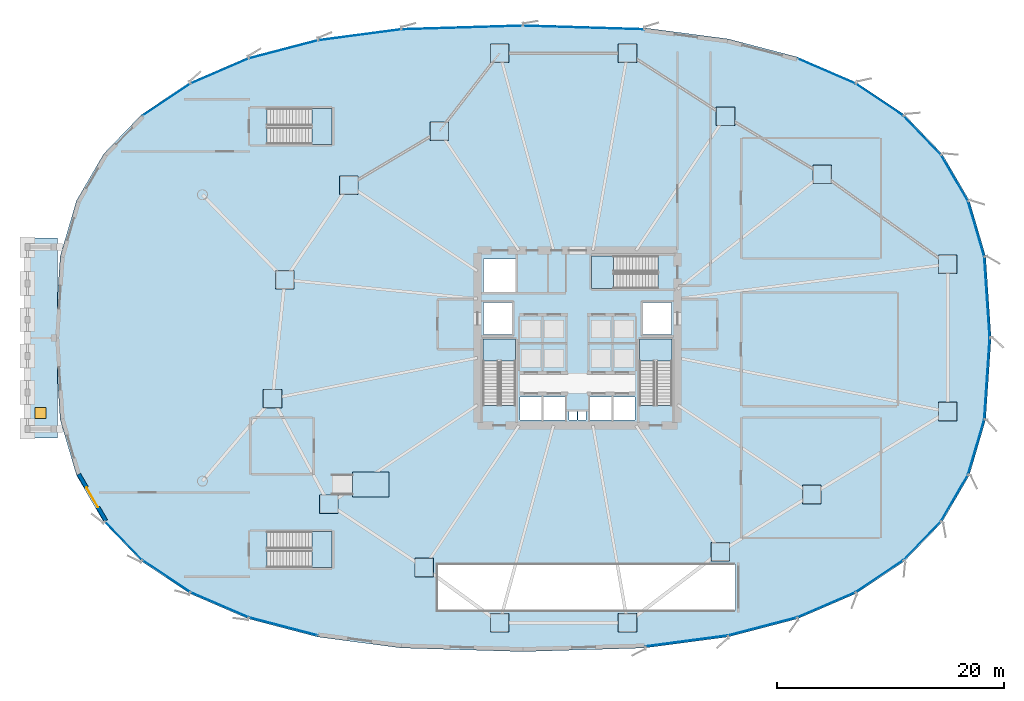
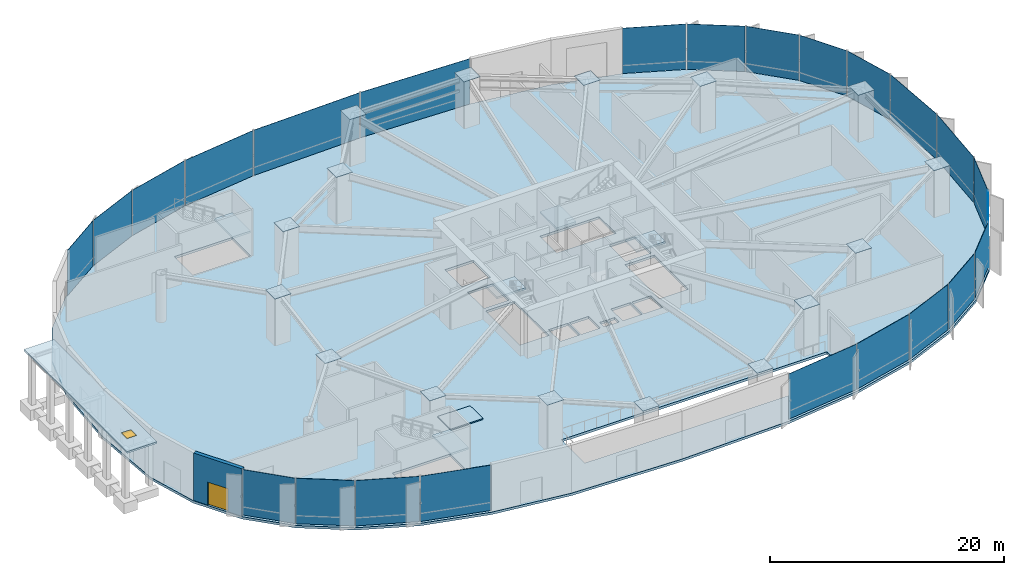
# One storey, part 22 of 35: 40 plates, 8 slabs, 2 doors, 1 wall, 2 openings, 10 elements without a shape of their own.
"""IFC4 building model written with IfcOpenShell, lengths in metres."""

from ifc_helpers import new_model, si_unit, direction, frame, frame_2d, origin, origin_2d, place, context, subcontext, project, spatial, polyline, rectangle, outline, extrude, source, transform, mapped, material, layer, layer_set, type_object, element, fill, aggregate, save


model = new_model("IFC4")

# Units and contexts
model_context = context("Model", 3, precision=1e-05, world=origin(), true_north=direction((0.0, 1.0)))
body_context = subcontext(model_context, "Body", "Model", "MODEL_VIEW")
ifc_project = project(units=[si_unit("LENGTHUNIT", "METRE"), si_unit("AREAUNIT", "SQUARE_METRE"), si_unit("VOLUMEUNIT", "CUBIC_METRE"), si_unit("PLANEANGLEUNIT", "RADIAN"), si_unit("MASSUNIT", "GRAM", prefix="KILO"), si_unit("THERMODYNAMICTEMPERATUREUNIT", "KELVIN")], contexts=[model_context])

# Site, building, storey
site_placement = place(None, origin())
site = spatial("IfcSite", under=ifc_project, at=site_placement, CompositionType="ELEMENT")
building_placement = place(site_placement, origin())
building = spatial("IfcBuilding", under=site, at=building_placement, Name="Kethvar Cultural Tower", CompositionType="ELEMENT")
storey_placement = place(building_placement, origin())
storey = spatial("IfcBuildingStorey", under=building, at=storey_placement, Name="L00", CompositionType="ELEMENT", Elevation=0.0)

# Slabs
ifc_material_1 = material(Name="Concrete C40/50", Category="concrete")
ifc_layer_1 = layer(ifc_material_1, 0.1201171875, Name="Concrete C40/50", Category="concrete")
ifc_layer_set_1 = layer_set([ifc_layer_1], Name="Concrete C40/50 (120 mm)")
slab_type_1 = type_object("IfcSlabType", Name="SL-DAIS-120", PredefinedType="LANDING", material=ifc_layer_set_1)
slab_1_placement = place(storey_placement, origin())
element("IfcSlab", 1, at=slab_1_placement, inside=storey, type_object=slab_type_1, Name="L00 Exhibition Plinth Landing", PredefinedType="LANDING", context=body_context, shape_type="SweptSolid", body=[
    extrude(outline(polyline([(27.0, 13.800048828125), (30.199951171875, 13.800048828125), (30.199951171875, 16.0), (27.0, 16.0), (27.0, 13.800048828125)])), origin(), (0.0, 0.0, 1.0), 0.1201171875),
])
ifc_layer_2 = layer(ifc_material_1, 0.25, Name="Concrete C40/50", Category="concrete")
ifc_layer_set_2 = layer_set([ifc_layer_2], Name="Concrete C40/50 (250 mm)")
slab_type_2 = type_object("IfcSlabType", Name="SL-POD-250", PredefinedType="FLOOR", material=ifc_layer_set_2)
slab_2_placement = place(storey_placement, frame((0.0, 0.0, -0.25)))
element("IfcSlab", 2, at=slab_2_placement, inside=storey, type_object=slab_type_2, Name="L00 Structural Floor Slab", PredefinedType="FLOOR", context=body_context, shape_type="SweptSolid", body=[
    extrude(outline(polyline([(83.199951171875, 27.800048828125), (82.7177734375, 34.978515625), (81.275146484375, 39.8916015625), (78.884521484375, 43.993896484375), (75.56298828125, 47.44580078125), (71.326416015625, 50.283935546875), (66.17333984375, 52.509033203125), (60.0498046875, 54.110595703125), (52.7158203125, 55.076904296875), (42.0, 55.39990234375), (31.2841796875, 55.076904296875), (23.9501953125, 54.110595703125), (17.82666015625, 52.509033203125), (12.673583984375, 50.283935546875), (8.43701171875, 47.44580078125), (5.115478515625, 43.993896484375), (2.724853515625, 39.8916015625), (1.2822265625, 34.978515625), (0.800048828125, 27.800048828125), (1.2822265625, 20.621337890625), (2.724853515625, 15.708251953125), (5.115478515625, 11.606201171875), (8.43701171875, 8.154296875), (12.673583984375, 5.31591796875), (17.82666015625, 3.091064453125), (23.9501953125, 1.489501953125), (31.2841796875, 0.523193359375), (42.0, 0.199951171875), (52.7158203125, 0.523193359375), (60.0498046875, 1.489501953125), (66.17333984375, 3.091064453125), (71.326416015625, 5.31591796875), (75.56298828125, 8.154296875), (78.884521484375, 11.606201171875), (81.275146484375, 15.708251953125), (82.7177734375, 20.621337890625), (83.199951171875, 27.800048828125)]), holes=[polyline([(38.489990234375, 21.85009765625), (38.489990234375, 27.699951171875), (41.35009765625, 27.699951171875), (41.35009765625, 21.85009765625), (38.489990234375, 21.85009765625)]), polyline([(52.25, 21.85009765625), (52.25, 27.699951171875), (55.110107421875, 27.699951171875), (55.110107421875, 21.85009765625), (52.25, 21.85009765625)]), polyline([(53.89990234375, 32.14990234375), (48.050048828125, 32.14990234375), (48.050048828125, 35.010009765625), (53.89990234375, 35.010009765625), (53.89990234375, 32.14990234375)]), polyline([(19.5, 10.760009765625), (25.199951171875, 10.760009765625), (25.199951171875, 7.60009765625), (19.5, 7.60009765625), (19.5, 10.760009765625)]), polyline([(19.5, 48.0), (25.199951171875, 48.0), (25.199951171875, 44.840087890625), (19.5, 44.840087890625), (19.5, 48.0)]), polyline([(41.75, 22.60009765625), (43.64990234375, 22.60009765625), (43.64990234375, 20.60009765625), (41.75, 20.60009765625), (41.75, 22.60009765625)]), polyline([(43.800048828125, 22.60009765625), (45.699951171875, 22.60009765625), (45.699951171875, 20.60009765625), (43.800048828125, 20.60009765625), (43.800048828125, 22.60009765625)]), polyline([(47.89990234375, 22.60009765625), (49.800048828125, 22.60009765625), (49.800048828125, 20.60009765625), (47.89990234375, 20.60009765625), (47.89990234375, 22.60009765625)]), polyline([(49.949951171875, 22.60009765625), (51.85009765625, 22.60009765625), (51.85009765625, 20.60009765625), (49.949951171875, 20.60009765625), (49.949951171875, 22.60009765625)]), polyline([(38.550048828125, 30.89990234375), (41.050048828125, 30.89990234375), (41.050048828125, 28.10009765625), (38.550048828125, 28.10009765625), (38.550048828125, 30.89990234375)]), polyline([(52.550048828125, 30.89990234375), (55.050048828125, 30.89990234375), (55.050048828125, 28.10009765625), (52.550048828125, 28.10009765625), (52.550048828125, 30.89990234375)]), polyline([(38.550048828125, 34.75), (41.35009765625, 34.75), (41.35009765625, 31.85009765625), (38.550048828125, 31.85009765625), (38.550048828125, 34.75)]), polyline([(46.050048828125, 21.35009765625), (46.75, 21.35009765625), (46.75, 20.60009765625), (46.050048828125, 20.60009765625), (46.050048828125, 21.35009765625)]), polyline([(46.85009765625, 21.35009765625), (47.550048828125, 21.35009765625), (47.550048828125, 20.60009765625), (46.85009765625, 20.60009765625), (46.85009765625, 21.35009765625)]), polyline([(34.5, 7.85009765625), (60.699951171875, 7.85009765625), (60.699951171875, 3.85009765625), (34.5, 3.85009765625), (34.5, 7.85009765625)])]), origin(), (0.0, 0.0, 1.0), 0.25),
])

# Slab, opening, door
ifc_layer_3 = layer(ifc_material_1, 0.18994140625, Name="Concrete C40/50", Category="concrete")
ifc_layer_set_3 = layer_set([ifc_layer_3], Name="Concrete C40/50 (190 mm)")
slab_type_3 = type_object("IfcSlabType", Name="SL-ROOF-CAN", PredefinedType="ROOF", material=ifc_layer_set_3)
slab_3_placement = place(storey_placement, frame((0.0, 0.0, 4.550048828125)))
slab_3 = element("IfcSlab", 3, at=slab_3_placement, inside=storey, type_object=slab_type_3, Name="West Entrance Portico Canopy Roof", PredefinedType="ROOF", context=body_context, shape_type="SweptSolid", body=[
    extrude(outline(polyline([(-1.89990234375, 19.0), (1.050048828125, 19.0), (1.050048828125, 36.60009765625), (-1.89990234375, 36.60009765625), (-1.89990234375, 19.0)])), origin(), (0.0, 0.0, 1.0), 0.18994140625),
])
opening_1_placement = place(slab_3_placement, frame((-0.449951171875, 21.199951171875, -0.010009765625)))
opening_1 = element("IfcOpeningElement", 4, at=opening_1_placement, cuts=slab_3, Name="Opening RH-01", PredefinedType="OPENING", context=body_context, shape_type="SweptSolid", body=[
    extrude(rectangle(XDim=0.949951171875, YDim=0.949951171875, at=origin_2d()), origin(), (0.0, 0.0, 1.0), 0.2099609375),
])
ifc_material_2 = material(Name="Steel S355J2", Category="steel")
door_type_1 = type_object("IfcDoorType", Name="DR-TRAP-ROOF", OperationType="SINGLE_SWING_LEFT", PredefinedType="TRAPDOOR", material=ifc_material_2)
door_1_placement = place(slab_3_placement, frame((-0.449951171875, 21.199951171875, 0.1298828125)))
door_1 = element("IfcDoor", 5, at=door_1_placement, inside=storey, type_object=door_type_1, Name="West Canopy Maintenance Roof Hatch RH-01", OperationType="SINGLE_SWING_LEFT", OverallHeight=0.949951171875, OverallWidth=0.949951171875, PredefinedType="TRAPDOOR", context=body_context, shape_type="SweptSolid", body=[
    extrude(rectangle(XDim=0.949951171875, YDim=0.949951171875, at=origin_2d()), origin(), (0.0, 0.0, 1.0), 0.06005859375),
])
fill(opening_1, door_1)

# Stair, slab
stair_type_1 = type_object("IfcStairType", Name="ST-DOGLEG-135", PredefinedType="HALF_TURN_STAIR", material=ifc_material_1)
stair_1_placement = place(storey_placement, origin())
stair_1 = element("IfcStair", 6, at=stair_1_placement, inside=storey, type_object=stair_type_1, Name="L00 Core Exit Stair 1", PredefinedType="HALF_TURN_STAIR")
ifc_layer_4 = layer(ifc_material_1, 0.199951171875, Name="Concrete C40/50", Category="concrete")
ifc_layer_set_4 = layer_set([ifc_layer_4], Name="Concrete C40/50 (200 mm)")
slab_type_4 = type_object("IfcSlabType", Name="SL-STAIR-LANDING-200", PredefinedType="LANDING", material=ifc_layer_set_4)
slab_4_placement = place(storey_placement, frame((0.0, 0.0, 2.39990234375)))
slab_4 = element("IfcSlab", 7, at=slab_4_placement, type_object=slab_type_4, Name="ST-01 landing 1", PredefinedType="LANDING", context=body_context, shape_type="SweptSolid", body=[
    extrude(outline(polyline([(41.35009765625, 25.77001953125), (41.35009765625, 27.699951171875), (38.489990234375, 27.699951171875), (38.489990234375, 25.77001953125), (41.35009765625, 25.77001953125)])), origin(), (0.0, 0.0, 1.0), 0.2001953125),
])
aggregate(stair_1, [slab_4])

stair_2_placement = place(storey_placement, origin())
stair_2 = element("IfcStair", 8, at=stair_2_placement, inside=storey, type_object=stair_type_1, Name="L00 Core Exit Stair 2", PredefinedType="HALF_TURN_STAIR")
slab_5_placement = place(storey_placement, frame((0.0, 0.0, 2.39990234375)))
slab_5 = element("IfcSlab", 9, at=slab_5_placement, type_object=slab_type_4, Name="ST-02 landing 1", PredefinedType="LANDING", context=body_context, shape_type="SweptSolid", body=[
    extrude(outline(polyline([(55.110107421875, 25.77001953125), (55.110107421875, 27.699951171875), (52.25, 27.699951171875), (52.25, 25.77001953125), (55.110107421875, 25.77001953125)])), origin(), (0.0, 0.0, 1.0), 0.2001953125),
])
aggregate(stair_2, [slab_5])

stair_3_placement = place(storey_placement, origin())
stair_3 = element("IfcStair", 10, at=stair_3_placement, inside=storey, type_object=stair_type_1, Name="L00 Core Exit Stair 3", PredefinedType="HALF_TURN_STAIR")
slab_6_placement = place(storey_placement, frame((0.0, 0.0, 2.39990234375)))
slab_6 = element("IfcSlab", 11, at=slab_6_placement, type_object=slab_type_4, Name="ST-03 landing 1", PredefinedType="LANDING", context=body_context, shape_type="SweptSolid", body=[
    extrude(outline(polyline([(49.97998046875, 35.010009765625), (48.050048828125, 35.010009765625), (48.050048828125, 32.14990234375), (49.97998046875, 32.14990234375), (49.97998046875, 35.010009765625)])), origin(), (0.0, 0.0, 1.0), 0.2001953125),
])
aggregate(stair_3, [slab_6])

stair_type_2 = type_object("IfcStairType", Name="ST-DOGLEG-150", PredefinedType="HALF_TURN_STAIR", material=ifc_material_1)
stair_4_placement = place(storey_placement, origin())
stair_4 = element("IfcStair", 12, at=stair_4_placement, inside=storey, type_object=stair_type_2, Name="L00 Podium Auditorium Exit Stair 4", PredefinedType="HALF_TURN_STAIR")
slab_7_placement = place(storey_placement, frame((0.0, 0.0, 2.39990234375)))
slab_7 = element("IfcSlab", 13, at=slab_7_placement, type_object=slab_type_4, Name="ST-04 landing 1", PredefinedType="LANDING", context=body_context, shape_type="SweptSolid", body=[
    extrude(outline(polyline([(23.419921875, 7.60009765625), (25.199951171875, 7.60009765625), (25.199951171875, 10.760009765625), (23.419921875, 10.760009765625), (23.419921875, 7.60009765625)])), origin(), (0.0, 0.0, 1.0), 0.2001953125),
])
aggregate(stair_4, [slab_7])

stair_5_placement = place(storey_placement, origin())
stair_5 = element("IfcStair", 14, at=stair_5_placement, inside=storey, type_object=stair_type_2, Name="L00 Podium Auditorium Exit Stair 5", PredefinedType="HALF_TURN_STAIR")
slab_8_placement = place(storey_placement, frame((0.0, 0.0, 2.39990234375)))
slab_8 = element("IfcSlab", 15, at=slab_8_placement, type_object=slab_type_4, Name="ST-05 landing 1", PredefinedType="LANDING", context=body_context, shape_type="SweptSolid", body=[
    extrude(outline(polyline([(23.419921875, 44.840087890625), (25.199951171875, 44.840087890625), (25.199951171875, 48.0), (23.419921875, 48.0), (23.419921875, 44.840087890625)])), origin(), (0.0, 0.0, 1.0), 0.2001953125),
])
aggregate(stair_5, [slab_8])

# Plates
ifc_material_3 = material(Name="Steel S460M", Category="steel")
ifc_layer_5 = layer(ifc_material_3, 0.0400390625, Name="Steel S460M", Category="steel")
ifc_layer_set_5 = layer_set([ifc_layer_5], Name="Steel S460M (40 mm)")
plate_type_1 = type_object("IfcPlateType", Name="PL-ENDCAP-BOX", PredefinedType="SHEET", material=ifc_layer_set_5)
shared_shape_1 = source(origin(), body_context, "Body", "SweptSolid", [
    extrude(rectangle(XDim=1.639892578125, YDim=1.639892578125, at=origin_2d()), origin(), (0.0, 0.0, 1.0), 0.0400390625),
])
for number, where, z_axis, x_axis, name in (
    (16, (79.362060546875, 34.277099609375, 4.909912109375), (0.0, 0.0, 1.0), (1.0, 0.0, 0.0), "L00 Box Column Diaphragm Cap CP-01"),
    (17, (68.33642578125, 42.190185546875, 4.909912109375), (0.0, 0.0, 1.0), (1.0, 0.0, 0.0), "L00 Box Column Diaphragm Cap CP-02"),
    (18, (59.824951171875, 47.293212890625, 4.909912109375), (0.0, 0.0, 1.0), (1.0, 0.0, 0.0), "L00 Box Column Diaphragm Cap CP-03"),
    (19, (51.199951171875, 52.85009765625, 4.909912109375), (0.0, 0.0, 1.0), (1.0, 0.0, 0.0), "L00 Box Column Diaphragm Cap CP-04"),
    (20, (39.949951171875, 52.85009765625, 4.909912109375), (0.0, 0.0, 1.0), (1.0, 0.0, 0.0), "L00 Box Column Diaphragm Cap CP-05"),
    (21, (34.64599609375, 45.98974609375, 4.909912109375), (0.0, 0.0, 1.0), (1.0, 0.0, 0.0), "L00 Box Column Diaphragm Cap CP-06"),
    (22, (26.6845703125, 41.24072265625, 4.909912109375), (0.0, 0.0, 1.0), (1.0, 0.0, 0.0), "L00 Box Column Diaphragm Cap CP-07"),
    (23, (21.047119140625, 32.922607421875, 4.909912109375), (0.0, 0.0, 1.0), (1.0, 0.0, 0.0), "L00 Box Column Diaphragm Cap CP-08"),
    (24, (19.9658203125, 22.46240234375, 4.909912109375), (0.0, 0.0, 1.0), (1.0, 0.0, 0.0), "L00 Box Column Diaphragm Cap CP-09"),
    (25, (24.9248046875, 13.183349609375, 4.909912109375), (0.0, 0.0, 1.0), (1.0, 0.0, 0.0), "L00 Box Column Diaphragm Cap CP-10"),
    (26, (33.302001953125, 7.598876953125, 4.909912109375), (0.0, 0.0, 1.0), (1.0, 0.0, 0.0), "L00 Box Column Diaphragm Cap CP-11"),
    (27, (39.949951171875, 2.75, 4.909912109375), (0.0, 0.0, 1.0), (1.0, 0.0, 0.0), "L00 Box Column Diaphragm Cap CP-12"),
    (28, (51.199951171875, 2.75, 4.909912109375), (0.0, 0.0, 1.0), (1.0, 0.0, 0.0), "L00 Box Column Diaphragm Cap CP-13"),
    (29, (59.370361328125, 8.987060546875, 4.909912109375), (0.0, 0.0, 1.0), (1.0, 0.0, 0.0), "L00 Box Column Diaphragm Cap CP-14"),
    (30, (67.41845703125, 14.023193359375, 4.909912109375), (0.0, 0.0, 1.0), (1.0, 0.0, 0.0), "L00 Box Column Diaphragm Cap CP-15"),
    (31, (79.362060546875, 21.322998046875, 4.909912109375), (0.0, 0.0, 1.0), (1.0, 0.0, 0.0), "L00 Box Column Diaphragm Cap CP-16"),
):
    element("IfcPlate", number, at=place(storey_placement, frame(where, z_axis=z_axis, x_axis=x_axis)), inside=storey, type_object=plate_type_1, Name=name, PredefinedType="SHEET", context=body_context, shape_type="MappedRepresentation", body=[
        mapped(shared_shape_1, transform((0.0, 0.0, 0.0), scale=1.0)),
    ])

# Curtain wall, plate
ifc_material_4 = material(Name="Aluminium 6063-T6", Category="aluminium")
ifc_layer_6 = layer(ifc_material_4, 0.179931640625, Name="Aluminium 6063-T6", Category="aluminium")
ifc_layer_set_6 = layer_set([ifc_layer_6], Name="Aluminium 6063-T6 (180 mm)")
curtain_wall_type = type_object("IfcCurtainWallType", Name="CW-SYS-01-POD", PredefinedType="NOTDEFINED", material=ifc_layer_set_6)
curtain_wall_1_placement = place(storey_placement, origin())
curtain_wall_1 = element("IfcCurtainWall", 32, at=curtain_wall_1_placement, inside=storey, type_object=curtain_wall_type, Name="L00 Curtain Wall Run 01", PredefinedType="NOTDEFINED")
ifc_material_5 = material(Name="Insulated Low-E Solar Glass", Category="glass")
ifc_layer_7 = layer(ifc_material_5, 0.035888671875, Name="Insulated Low-E Solar Glass", Category="glass")
ifc_layer_set_7 = layer_set([ifc_layer_7], Name="Insulated Low-E Solar Glass (36 mm)")
plate_type_2 = type_object("IfcPlateType", Name="CW-SYS-01-POD-PNL", PredefinedType="CURTAIN_PANEL", material=ifc_layer_set_7)
shared_shape_2 = source(origin(), body_context, "Body", "SweptSolid", [
    extrude(rectangle(XDim=7.086669921875, YDim=0.035888671875, at=origin_2d()), origin(), (0.0, 0.0, 1.0), 4.72998046875),
])
plate_1_placement = place(storey_placement, frame((82.8291015625, 31.380615234375, 0.110107421875), z_axis=(0.0, 0.0, 1.0), x_axis=(-0.067040137302, 0.997750279374, 0.0)))
plate_1 = element("IfcPlate", 33, at=plate_1_placement, type_object=plate_type_2, Name="CW-L00-R01 Vision Glazing Panel 1", PredefinedType="CURTAIN_PANEL", context=body_context, shape_type="MappedRepresentation", body=[
    mapped(shared_shape_2, transform((0.0, 0.0, 0.0), scale=1.0)),
])

curtain_wall_2_placement = place(storey_placement, origin())
curtain_wall_2 = element("IfcCurtainWall", 34, at=curtain_wall_2_placement, inside=storey, type_object=curtain_wall_type, Name="L00 Curtain Wall Run 05", PredefinedType="NOTDEFINED")
plate_2_placement = place(storey_placement, frame((82.8291015625, 24.219482421875, 0.110107421875), z_axis=(0.0, 0.0, 1.0), x_axis=(0.067040137302, 0.997750279374, 0.0)))
plate_2 = element("IfcPlate", 35, at=plate_2_placement, type_object=plate_type_2, Name="CW-L00-R05 Vision Glazing Panel 2", PredefinedType="CURTAIN_PANEL", context=body_context, shape_type="MappedRepresentation", body=[
    mapped(shared_shape_2, transform((0.0, 0.0, 0.0), scale=1.0)),
])

# Plate
shared_shape_3 = source(origin(), body_context, "Body", "SweptSolid", [
    extrude(rectangle(XDim=5.012451171875, YDim=0.035888671875, at=origin_2d()), origin(), (0.0, 0.0, 1.0), 4.72998046875),
])
plate_3_placement = place(storey_placement, frame((81.87158203125, 37.398681640625, 0.110107421875), z_axis=(0.0, 0.0, 1.0), x_axis=(-0.28172190008, 0.959496102658, 0.0)))
plate_3 = element("IfcPlate", 36, at=plate_3_placement, type_object=plate_type_2, Name="CW-L00-R01 Vision Glazing Panel 2", PredefinedType="CURTAIN_PANEL", context=body_context, shape_type="MappedRepresentation", body=[
    mapped(shared_shape_3, transform((0.0, 0.0, 0.0), scale=1.0)),
])

plate_4_placement = place(storey_placement, frame((81.87158203125, 18.201416015625, 0.110107421875), z_axis=(0.0, 0.0, 1.0), x_axis=(0.28172190008, 0.959496102658, 0.0)))
plate_4 = element("IfcPlate", 37, at=plate_4_placement, type_object=plate_type_2, Name="CW-L00-R05 Vision Glazing Panel 1", PredefinedType="CURTAIN_PANEL", context=body_context, shape_type="MappedRepresentation", body=[
    mapped(shared_shape_3, transform((0.0, 0.0, 0.0), scale=1.0)),
])

aggregate(curtain_wall_2, [plate_4, plate_2])

shared_shape_4 = source(origin(), body_context, "Body", "SweptSolid", [
    extrude(rectangle(XDim=4.639892578125, YDim=0.035888671875, at=origin_2d()), origin(), (0.0, 0.0, 1.0), 4.72998046875),
])
plate_5_placement = place(storey_placement, frame((79.967529296875, 41.877197265625, 0.110107421875), z_axis=(0.0, 0.0, 1.0), x_axis=(-0.503517649721, 0.863984939927, 0.0)))
plate_5 = element("IfcPlate", 38, at=plate_5_placement, type_object=plate_type_2, Name="CW-L00-R01 Vision Glazing Panel 3", PredefinedType="CURTAIN_PANEL", context=body_context, shape_type="MappedRepresentation", body=[
    mapped(shared_shape_4, transform((0.0, 0.0, 0.0), scale=1.0)),
])

# Curtain wall, plate
curtain_wall_3_placement = place(storey_placement, origin())
curtain_wall_3 = element("IfcCurtainWall", 39, at=curtain_wall_3_placement, inside=storey, type_object=curtain_wall_type, Name="L00 Curtain Wall Run 04", PredefinedType="NOTDEFINED")
plate_6_placement = place(storey_placement, frame((79.967529296875, 13.72265625, 0.110107421875), z_axis=(0.0, 0.0, 1.0), x_axis=(0.503517649721, 0.863984939927, 0.0)))
plate_6 = element("IfcPlate", 40, at=plate_6_placement, type_object=plate_type_2, Name="CW-L00-R04 Vision Glazing Panel 6", PredefinedType="CURTAIN_PANEL", context=body_context, shape_type="MappedRepresentation", body=[
    mapped(shared_shape_4, transform((0.0, 0.0, 0.0), scale=1.0)),
])

# Plate
shared_shape_5 = source(origin(), body_context, "Body", "SweptSolid", [
    extrude(rectangle(XDim=4.682373046875, YDim=0.035888671875, at=origin_2d()), origin(), (0.0, 0.0, 1.0), 4.72998046875),
])
plate_7_placement = place(storey_placement, frame((77.130126953125, 45.629638671875, 0.110107421875), z_axis=(0.0, 0.0, 1.0), x_axis=(-0.693338945689, 0.720611619661, 0.0)))
plate_7 = element("IfcPlate", 41, at=plate_7_placement, type_object=plate_type_2, Name="CW-L00-R01 Vision Glazing Panel 4", PredefinedType="CURTAIN_PANEL", context=body_context, shape_type="MappedRepresentation", body=[
    mapped(shared_shape_5, transform((0.0, 0.0, 0.0), scale=1.0)),
])

# Curtain wall, plate
curtain_wall_4_placement = place(storey_placement, origin())
curtain_wall_4 = element("IfcCurtainWall", 42, at=curtain_wall_4_placement, inside=storey, type_object=curtain_wall_type, Name="L00 Curtain Wall Run 03", PredefinedType="NOTDEFINED")
plate_8_placement = place(storey_placement, frame((6.869873046875, 9.97021484375, 0.110107421875), z_axis=(0.0, 0.0, 1.0), x_axis=(0.693338945689, -0.720611619661, 0.0)))
plate_8 = element("IfcPlate", 43, at=plate_8_placement, type_object=plate_type_2, Name="CW-L00-R03 Vision Glazing Panel 1", PredefinedType="CURTAIN_PANEL", context=body_context, shape_type="MappedRepresentation", body=[
    mapped(shared_shape_5, transform((0.0, 0.0, 0.0), scale=1.0)),
])

# Plate
plate_9_placement = place(storey_placement, frame((77.130126953125, 9.97021484375, 0.110107421875), z_axis=(0.0, 0.0, 1.0), x_axis=(0.693338945689, 0.720611619661, 0.0)))
plate_9 = element("IfcPlate", 44, at=plate_9_placement, type_object=plate_type_2, Name="CW-L00-R04 Vision Glazing Panel 5", PredefinedType="CURTAIN_PANEL", context=body_context, shape_type="MappedRepresentation", body=[
    mapped(shared_shape_5, transform((0.0, 0.0, 0.0), scale=1.0)),
])

shared_shape_6 = source(origin(), body_context, "Body", "SweptSolid", [
    extrude(rectangle(XDim=4.99169921875, YDim=0.035888671875, at=origin_2d()), origin(), (0.0, 0.0, 1.0), 4.72998046875),
])
plate_10_placement = place(storey_placement, frame((73.372314453125, 48.7568359375, 0.110107421875), z_axis=(0.0, 0.0, 1.0), x_axis=(-0.830809662848, 0.556556649514, 0.0)))
plate_10 = element("IfcPlate", 45, at=plate_10_placement, type_object=plate_type_2, Name="CW-L00-R01 Vision Glazing Panel 5", PredefinedType="CURTAIN_PANEL", context=body_context, shape_type="MappedRepresentation", body=[
    mapped(shared_shape_6, transform((0.0, 0.0, 0.0), scale=1.0)),
])

# Curtain wall, plate
curtain_wall_5_placement = place(storey_placement, origin())
curtain_wall_5 = element("IfcCurtainWall", 46, at=curtain_wall_5_placement, inside=storey, type_object=curtain_wall_type, Name="L00 Curtain Wall Run 02", PredefinedType="NOTDEFINED")
plate_11_placement = place(storey_placement, frame((10.627685546875, 48.7568359375, 0.110107421875), z_axis=(0.0, 0.0, 1.0), x_axis=(-0.830809662848, -0.556556649514, 0.0)))
plate_11 = element("IfcPlate", 47, at=plate_11_placement, type_object=plate_type_2, Name="CW-L00-R02 Vision Glazing Panel 6", PredefinedType="CURTAIN_PANEL", context=body_context, shape_type="MappedRepresentation", body=[
    mapped(shared_shape_6, transform((0.0, 0.0, 0.0), scale=1.0)),
])

# Plate
plate_12_placement = place(storey_placement, frame((10.627685546875, 6.84326171875, 0.110107421875), z_axis=(0.0, 0.0, 1.0), x_axis=(0.830809662848, -0.556556649514, 0.0)))
plate_12 = element("IfcPlate", 48, at=plate_12_placement, type_object=plate_type_2, Name="CW-L00-R03 Vision Glazing Panel 2", PredefinedType="CURTAIN_PANEL", context=body_context, shape_type="MappedRepresentation", body=[
    mapped(shared_shape_6, transform((0.0, 0.0, 0.0), scale=1.0)),
])

plate_13_placement = place(storey_placement, frame((73.372314453125, 6.84326171875, 0.110107421875), z_axis=(0.0, 0.0, 1.0), x_axis=(0.830809662848, 0.556556649514, 0.0)))
plate_13 = element("IfcPlate", 49, at=plate_13_placement, type_object=plate_type_2, Name="CW-L00-R04 Vision Glazing Panel 4", PredefinedType="CURTAIN_PANEL", context=body_context, shape_type="MappedRepresentation", body=[
    mapped(shared_shape_6, transform((0.0, 0.0, 0.0), scale=1.0)),
])

shared_shape_7 = source(origin(), body_context, "Body", "SweptSolid", [
    extrude(rectangle(XDim=5.5048828125, YDim=0.035888671875, at=origin_2d()), origin(), (0.0, 0.0, 1.0), 4.72998046875),
])
plate_14_placement = place(storey_placement, frame((68.6982421875, 51.277099609375, 0.110107421875), z_axis=(0.0, 0.0, 1.0), x_axis=(-0.918073180633, 0.396410942082, 0.0)))
plate_14 = element("IfcPlate", 50, at=plate_14_placement, type_object=plate_type_2, Name="CW-L00-R01 Vision Glazing Panel 6", PredefinedType="CURTAIN_PANEL", context=body_context, shape_type="MappedRepresentation", body=[
    mapped(shared_shape_7, transform((0.0, 0.0, 0.0), scale=1.0)),
])

aggregate(curtain_wall_1, [plate_1, plate_3, plate_5, plate_7, plate_10, plate_14])

plate_15_placement = place(storey_placement, frame((15.3017578125, 51.277099609375, 0.110107421875), z_axis=(0.0, 0.0, 1.0), x_axis=(-0.918073180633, -0.396410942082, 0.0)))
plate_15 = element("IfcPlate", 51, at=plate_15_placement, type_object=plate_type_2, Name="CW-L00-R02 Vision Glazing Panel 5", PredefinedType="CURTAIN_PANEL", context=body_context, shape_type="MappedRepresentation", body=[
    mapped(shared_shape_7, transform((0.0, 0.0, 0.0), scale=1.0)),
])

plate_16_placement = place(storey_placement, frame((15.3017578125, 4.32275390625, 0.110107421875), z_axis=(0.0, 0.0, 1.0), x_axis=(0.918073180633, -0.396410942082, 0.0)))
plate_16 = element("IfcPlate", 52, at=plate_16_placement, type_object=plate_type_2, Name="CW-L00-R03 Vision Glazing Panel 3", PredefinedType="CURTAIN_PANEL", context=body_context, shape_type="MappedRepresentation", body=[
    mapped(shared_shape_7, transform((0.0, 0.0, 0.0), scale=1.0)),
])

plate_17_placement = place(storey_placement, frame((68.6982421875, 4.32275390625, 0.110107421875), z_axis=(0.0, 0.0, 1.0), x_axis=(0.918073180633, 0.396410942082, 0.0)))
plate_17 = element("IfcPlate", 53, at=plate_17_placement, type_object=plate_type_2, Name="CW-L00-R04 Vision Glazing Panel 3", PredefinedType="CURTAIN_PANEL", context=body_context, shape_type="MappedRepresentation", body=[
    mapped(shared_shape_7, transform((0.0, 0.0, 0.0), scale=1.0)),
])

shared_shape_8 = source(origin(), body_context, "Body", "SweptSolid", [
    extrude(rectangle(XDim=10.61279296875, YDim=0.035888671875, at=origin_2d()), origin(), (0.0, 0.0, 1.0), 4.72998046875),
])
plate_18_placement = place(storey_placement, frame((47.35400390625, 55.1083984375, 0.110107421875), z_axis=(0.0, 0.0, 1.0), x_axis=(-0.999545769248, 0.030137272261, 0.0)))
plate_18 = element("IfcPlate", 54, at=plate_18_placement, type_object=plate_type_2, Name="CW-L00-R02 Vision Glazing Panel 1", PredefinedType="CURTAIN_PANEL", context=body_context, shape_type="MappedRepresentation", body=[
    mapped(shared_shape_8, transform((0.0, 0.0, 0.0), scale=1.0)),
])

plate_19_placement = place(storey_placement, frame((36.64599609375, 55.1083984375, 0.110107421875), z_axis=(0.0, 0.0, 1.0), x_axis=(-0.999545769248, -0.030137272261, 0.0)))
plate_19 = element("IfcPlate", 55, at=plate_19_placement, type_object=plate_type_2, Name="CW-L00-R02 Vision Glazing Panel 2", PredefinedType="CURTAIN_PANEL", context=body_context, shape_type="MappedRepresentation", body=[
    mapped(shared_shape_8, transform((0.0, 0.0, 0.0), scale=1.0)),
])

shared_shape_9 = source(origin(), body_context, "Body", "SweptSolid", [
    extrude(rectangle(XDim=7.289306640625, YDim=0.035888671875, at=origin_2d()), origin(), (0.0, 0.0, 1.0), 4.72998046875),
])
plate_20_placement = place(storey_placement, frame((27.634033203125, 54.46484375, 0.110107421875), z_axis=(0.0, 0.0, 1.0), x_axis=(-0.991428907192, -0.130647319086, 0.0)))
plate_20 = element("IfcPlate", 56, at=plate_20_placement, type_object=plate_type_2, Name="CW-L00-R02 Vision Glazing Panel 3", PredefinedType="CURTAIN_PANEL", context=body_context, shape_type="MappedRepresentation", body=[
    mapped(shared_shape_9, transform((0.0, 0.0, 0.0), scale=1.0)),
])

plate_21_placement = place(storey_placement, frame((56.365966796875, 1.135009765625, 0.110107421875), z_axis=(0.0, 0.0, 1.0), x_axis=(0.991428907192, 0.130647319086, 0.0)))
plate_21 = element("IfcPlate", 57, at=plate_21_placement, type_object=plate_type_2, Name="CW-L00-R04 Vision Glazing Panel 1", PredefinedType="CURTAIN_PANEL", context=body_context, shape_type="MappedRepresentation", body=[
    mapped(shared_shape_9, transform((0.0, 0.0, 0.0), scale=1.0)),
])

shared_shape_10 = source(origin(), body_context, "Body", "SweptSolid", [
    extrude(rectangle(XDim=6.221435546875, YDim=0.035888671875, at=origin_2d()), origin(), (0.0, 0.0, 1.0), 4.72998046875),
])
plate_22_placement = place(storey_placement, frame((20.92138671875, 53.18408203125, 0.110107421875), z_axis=(0.0, 0.0, 1.0), x_axis=(-0.967457923558, -0.253031946887, 0.0)))
plate_22 = element("IfcPlate", 58, at=plate_22_placement, type_object=plate_type_2, Name="CW-L00-R02 Vision Glazing Panel 4", PredefinedType="CURTAIN_PANEL", context=body_context, shape_type="MappedRepresentation", body=[
    mapped(shared_shape_10, transform((0.0, 0.0, 0.0), scale=1.0)),
])

aggregate(curtain_wall_5, [plate_18, plate_19, plate_20, plate_22, plate_15, plate_11])

plate_23_placement = place(storey_placement, frame((20.92138671875, 2.416015625, 0.110107421875), z_axis=(0.0, 0.0, 1.0), x_axis=(0.967457923558, -0.253031946887, 0.0)))
plate_23 = element("IfcPlate", 59, at=plate_23_placement, type_object=plate_type_2, Name="CW-L00-R03 Vision Glazing Panel 4", PredefinedType="CURTAIN_PANEL", context=body_context, shape_type="MappedRepresentation", body=[
    mapped(shared_shape_10, transform((0.0, 0.0, 0.0), scale=1.0)),
])

aggregate(curtain_wall_4, [plate_8, plate_12, plate_16, plate_23])

plate_24_placement = place(storey_placement, frame((63.07861328125, 2.416015625, 0.110107421875), z_axis=(0.0, 0.0, 1.0), x_axis=(0.967457923558, 0.253031946887, 0.0)))
plate_24 = element("IfcPlate", 60, at=plate_24_placement, type_object=plate_type_2, Name="CW-L00-R04 Vision Glazing Panel 2", PredefinedType="CURTAIN_PANEL", context=body_context, shape_type="MappedRepresentation", body=[
    mapped(shared_shape_10, transform((0.0, 0.0, 0.0), scale=1.0)),
])

aggregate(curtain_wall_3, [plate_21, plate_24, plate_17, plate_13, plate_9, plate_6])

# Wall, opening, door
ifc_layer_8 = layer(ifc_material_1, 0.35009765625, Name="Concrete C40/50", Category="concrete")
ifc_layer_set_8 = layer_set([ifc_layer_8], Name="Concrete C40/50 (350 mm)")
wall_type = type_object("IfcWallType", Name="WL-EXT-PORTAL-350", PredefinedType="SOLIDWALL", material=ifc_layer_set_8)
wall_placement = place(storey_placement, frame((5.3056640625, 11.717041015625, 0.0), z_axis=(0.0, 0.0, 1.0), x_axis=(-0.503519292696, 0.863983982423, 0.0)))
wall = element("IfcWall", 61, at=wall_placement, inside=storey, type_object=wall_type, Name="L00 Exterior Portal Wall 21", PredefinedType="SOLIDWALL", context=body_context, shape_type="SweptSolid", body=[
    extrude(rectangle(XDim=4.747802734375, YDim=0.35009765625, at=frame_2d((2.3740234375, 0.0))), origin(), (0.0, 0.0, 1.0), 4.949951171875),
])
opening_2_placement = place(wall_placement, frame((1.373779296875, 0.0, 0.0)))
opening_2 = element("IfcOpeningElement", 62, at=opening_2_placement, cuts=wall, Name="Opening EX-08", PredefinedType="OPENING", context=body_context, shape_type="SweptSolid", body=[
    extrude(rectangle(XDim=2.0, YDim=2.39990234375, at=frame_2d((1.0, 1.199951171875))), frame((0.0, 0.18505859375, 0.0), z_axis=(0.0, -1.0, 0.0), x_axis=(1.0, 0.0, 0.0)), (0.0, 0.0, 1.0), 0.3701171875),
])
door_type_2 = type_object("IfcDoorType", Name="DR-EXT-EXIT-2000", OperationType="DOUBLE_DOOR_SINGLE_SWING", PredefinedType="DOOR", material=ifc_material_4)
shared_shape_11 = source(origin(), body_context, "Body", "SweptSolid", [
    extrude(rectangle(XDim=2.0, YDim=2.39990234375, at=frame_2d((1.0, 1.199951171875))), frame((0.0, 0.02490234375, 0.0), z_axis=(0.0, -1.0, 0.0), x_axis=(1.0, 0.0, 0.0)), (0.0, 0.0, 1.0), 0.050048828125),
])
door_2_placement = place(opening_2_placement, origin())
door_2 = element("IfcDoor", 63, at=door_2_placement, inside=storey, type_object=door_type_2, Name="Ground Pedestrian Exit Door EX-08", OperationType="DOUBLE_DOOR_SINGLE_SWING", OverallHeight=2.39990234375, OverallWidth=2.0, PredefinedType="DOOR", context=body_context, shape_type="MappedRepresentation", body=[
    mapped(shared_shape_11, transform((0.0, 0.0, 0.0), scale=1.0)),
])
fill(opening_2, door_2)

save(model, "model.ifc")
